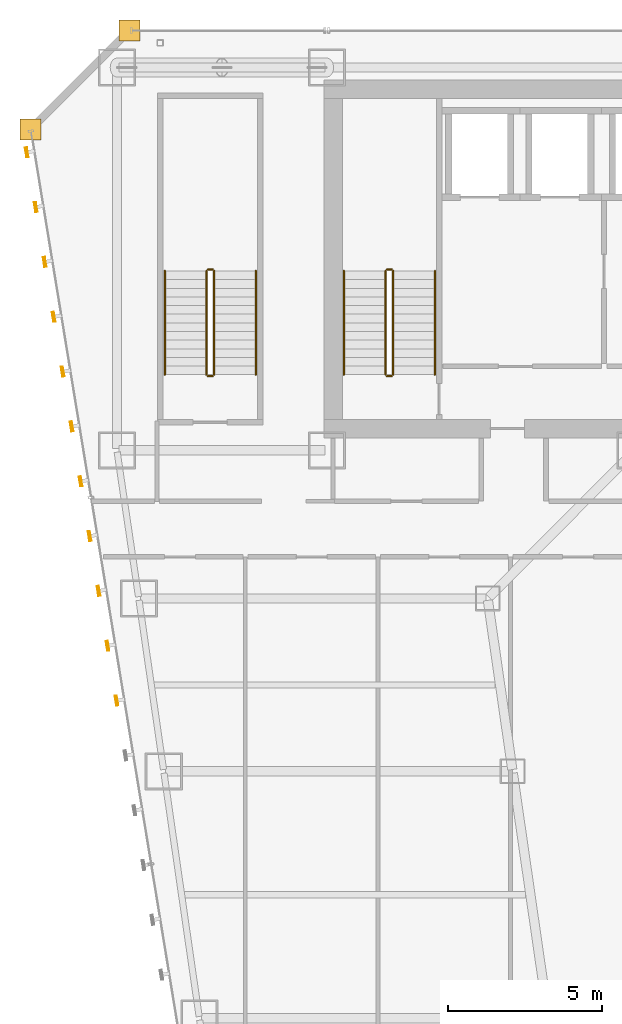
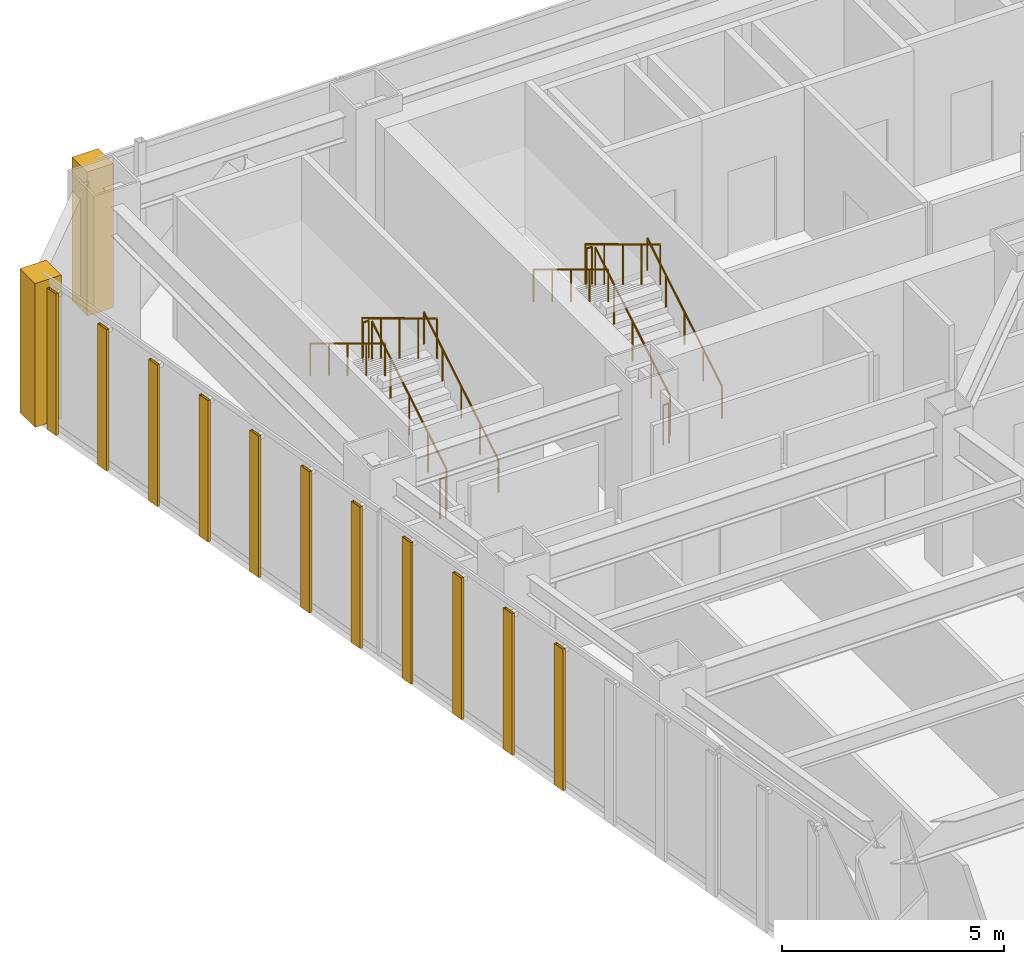
# One storey, part 46 of 47: 12 railings, 11 shading devices, 2 coverings.
"""IFC4 building model written with IfcOpenShell, lengths in metres."""

from ifc_helpers import new_model, si_unit, direction, frame, origin, origin_2d, place, context, subcontext, project, spatial, polyline, hollow_rectangle, circle, outline, extrude, material, layer, layer_set, material_profile, profile_set, type_object, element, save


model = new_model("IFC4")

# Units and contexts
model_context = context("Model", 3, precision=1e-05, world=origin(), true_north=direction((0.0, 1.0)))
body_context = subcontext(model_context, "Body", "Model", "MODEL_VIEW")
ifc_project = project(units=[si_unit("LENGTHUNIT", "METRE"), si_unit("AREAUNIT", "SQUARE_METRE"), si_unit("VOLUMEUNIT", "CUBIC_METRE"), si_unit("PLANEANGLEUNIT", "RADIAN"), si_unit("MASSUNIT", "GRAM", prefix="KILO")], contexts=[model_context])

# Site, building, storey
site_placement = place(None, origin())
site = spatial("IfcSite", under=ifc_project, at=site_placement, CompositionType="ELEMENT")
building_placement = place(site_placement, origin())
building = spatial("IfcBuilding", under=site, at=building_placement, Name="Saevonmaru Cultural Tower", CompositionType="ELEMENT")
storey_placement = place(building_placement, frame((0.0, 0.0, 82.39990234375)))
storey = spatial("IfcBuildingStorey", under=building, at=storey_placement, Name="L17", CompositionType="ELEMENT", Elevation=82.39990234375)

# Coverings
ifc_material_1 = material(Name="Satin Bronze Anodised Aluminium", Category="aluminium")
ifc_layer = layer(ifc_material_1, 0.679931640625, Name="Satin Bronze Anodised Aluminium")
ifc_layer_set = layer_set([ifc_layer], Name="Satin Bronze Anodised Aluminium")
covering_type = type_object("IfcCoveringType", Name="CV-CORNER-CLAD", PredefinedType="CLADDING", material=ifc_layer_set)
covering_1_placement = place(storey_placement, origin())
element("IfcCovering", 1, at=covering_1_placement, inside=storey, type_object=covering_type, Name="L17 Tower Bronze Corner Cladding Pier 11", PredefinedType="CLADDING", context=body_context, shape_type="SweptSolid", body=[
    extrude(outline(polyline([(6.860107421875, 55.659912109375), (7.5400390625, 55.659912109375), (7.5400390625, 56.340087890625), (6.860107421875, 56.340087890625), (6.860107421875, 55.659912109375)])), origin(), (0.0, 0.0, 1.0), 3.9501953125),
])
covering_2_placement = place(storey_placement, origin())
element("IfcCovering", 2, at=covering_2_placement, inside=storey, type_object=covering_type, Name="L17 Tower Bronze Corner Cladding Pier 12", PredefinedType="CLADDING", context=body_context, shape_type="SweptSolid", body=[
    extrude(outline(polyline([(3.659912109375, 52.4599609375), (4.340087890625, 52.4599609375), (4.340087890625, 53.139892578125), (3.659912109375, 53.139892578125), (3.659912109375, 52.4599609375)])), origin(), (0.0, 0.0, 1.0), 3.9501953125),
])

# Railings
ifc_material_2 = material(Name="Architectural Painted Steel", Category="steel")
railing_type_1 = type_object("IfcRailingType", Name="RL-STAIR-GUARD", PredefinedType="GUARDRAIL", material=ifc_material_2)
railing_1_placement = place(storey_placement, frame((15.75, 44.85009765625, 0.16943359375)))
element("IfcRailing", 3, at=railing_1_placement, inside=storey, type_object=railing_type_1, Name="L17 ST-1 stair guard 1", PredefinedType="GUARDRAIL", context=body_context, shape_type="SweptSolid", body=[
    extrude(circle(Radius=0.02392578125, at=origin_2d()), frame((0.0, 0.0, 1.09619140625), z_axis=(0.0, 0.855820338506, 0.51727318527), x_axis=(-1.0, 0.0, 0.0)), (0.0, 0.0, 1.0), 3.92578125),
    extrude(circle(Radius=0.02099609375, at=origin_2d()), origin(), (0.0, 0.0, 1.0), 1.072021484375),
    extrude(circle(Radius=0.02099609375, at=origin_2d()), frame((0.0, 0.83984375, 0.5078125)), (0.0, 0.0, 1.0), 1.072021484375),
    extrude(circle(Radius=0.02099609375, at=origin_2d()), frame((0.0, 1.679931640625, 1.015380859375)), (0.0, 0.0, 1.0), 1.072021484375),
    extrude(circle(Radius=0.02099609375, at=origin_2d()), frame((0.0, 2.52001953125, 1.52294921875)), (0.0, 0.0, 1.0), 1.072021484375),
    extrude(circle(Radius=0.02099609375, at=origin_2d()), frame((0.0, 3.35986328125, 2.03076171875)), (0.0, 0.0, 1.0), 1.072021484375),
])
railing_2_placement = place(storey_placement, frame((15.699951171875, 48.260009765625, 2.2001953125)))
element("IfcRailing", 4, at=railing_2_placement, inside=storey, type_object=railing_type_1, Name="L17 ST-1 stair guard 2", PredefinedType="GUARDRAIL", context=body_context, shape_type="SweptSolid", body=[
    extrude(circle(Radius=0.02392578125, at=origin_2d()), frame((0.0, 0.0, 1.09619140625), z_axis=(-1.0, 0.0, 0.0), x_axis=(0.0, -1.0, 0.0)), (0.0, 0.0, 1.0), 0.14990234375),
    extrude(circle(Radius=0.02099609375, at=origin_2d()), origin(), (0.0, 0.0, 1.0), 1.072021484375),
    extrude(circle(Radius=0.02099609375, at=origin_2d()), frame((-0.14990234375, 0.0, 0.0)), (0.0, 0.0, 1.0), 1.072021484375),
])
railing_3_placement = place(storey_placement, frame((15.5, 48.2099609375, 2.369384765625)))
element("IfcRailing", 5, at=railing_3_placement, inside=storey, type_object=railing_type_1, Name="L17 ST-1 stair guard 3", PredefinedType="GUARDRAIL", context=body_context, shape_type="SweptSolid", body=[
    extrude(circle(Radius=0.02392578125, at=origin_2d()), frame((0.0, 0.0, 1.09619140625), z_axis=(0.0, -0.855820338506, 0.51727318527), x_axis=(1.0, 0.0, 0.0)), (0.0, 0.0, 1.0), 3.92578125),
    extrude(circle(Radius=0.02099609375, at=origin_2d()), origin(), (0.0, 0.0, 1.0), 1.072021484375),
    extrude(circle(Radius=0.02099609375, at=origin_2d()), frame((0.0, -0.83984375, 0.5078125)), (0.0, 0.0, 1.0), 1.072021484375),
    extrude(circle(Radius=0.02099609375, at=origin_2d()), frame((0.0, -1.679931640625, 1.015380859375)), (0.0, 0.0, 1.0), 1.072021484375),
    extrude(circle(Radius=0.02099609375, at=origin_2d()), frame((0.0, -2.52001953125, 1.52294921875)), (0.0, 0.0, 1.0), 1.072021484375),
    extrude(circle(Radius=0.02099609375, at=origin_2d()), frame((0.0, -3.35986328125, 2.03076171875)), (0.0, 0.0, 1.0), 1.072021484375),
])
railing_4_placement = place(storey_placement, frame((15.699951171875, 44.800048828125, 0.0)))
element("IfcRailing", 6, at=railing_4_placement, inside=storey, type_object=railing_type_1, Name="L17 ST-1 stair guard 4", PredefinedType="GUARDRAIL", context=body_context, shape_type="SweptSolid", body=[
    extrude(circle(Radius=0.02392578125, at=origin_2d()), frame((0.0, 0.0, 1.09619140625), z_axis=(-1.0, 0.0, 0.0), x_axis=(0.0, -1.0, 0.0)), (0.0, 0.0, 1.0), 0.14990234375),
    extrude(circle(Radius=0.02099609375, at=origin_2d()), origin(), (0.0, 0.0, 1.0), 1.072021484375),
    extrude(circle(Radius=0.02099609375, at=origin_2d()), frame((-0.14990234375, 0.0, 0.0)), (0.0, 0.0, 1.0), 1.072021484375),
])
railing_5_placement = place(storey_placement, frame((9.949951171875, 44.85009765625, 0.16943359375)))
element("IfcRailing", 7, at=railing_5_placement, inside=storey, type_object=railing_type_1, Name="L17 ST-3 stair guard 1", PredefinedType="GUARDRAIL", context=body_context, shape_type="SweptSolid", body=[
    extrude(circle(Radius=0.02392578125, at=origin_2d()), frame((0.0, 0.0, 1.09619140625), z_axis=(0.0, 0.855820338506, 0.51727318527), x_axis=(-1.0, 0.0, 0.0)), (0.0, 0.0, 1.0), 3.92578125),
    extrude(circle(Radius=0.02099609375, at=origin_2d()), origin(), (0.0, 0.0, 1.0), 1.072021484375),
    extrude(circle(Radius=0.02099609375, at=origin_2d()), frame((0.0, 0.83984375, 0.5078125)), (0.0, 0.0, 1.0), 1.072021484375),
    extrude(circle(Radius=0.02099609375, at=origin_2d()), frame((0.0, 1.679931640625, 1.015380859375)), (0.0, 0.0, 1.0), 1.072021484375),
    extrude(circle(Radius=0.02099609375, at=origin_2d()), frame((0.0, 2.52001953125, 1.52294921875)), (0.0, 0.0, 1.0), 1.072021484375),
    extrude(circle(Radius=0.02099609375, at=origin_2d()), frame((0.0, 3.35986328125, 2.03076171875)), (0.0, 0.0, 1.0), 1.072021484375),
])
railing_6_placement = place(storey_placement, frame((9.89990234375, 48.260009765625, 2.2001953125)))
element("IfcRailing", 8, at=railing_6_placement, inside=storey, type_object=railing_type_1, Name="L17 ST-3 stair guard 2", PredefinedType="GUARDRAIL", context=body_context, shape_type="SweptSolid", body=[
    extrude(circle(Radius=0.02392578125, at=origin_2d()), frame((0.0, 0.0, 1.09619140625), z_axis=(-1.0, 0.0, 0.0), x_axis=(0.0, -1.0, 0.0)), (0.0, 0.0, 1.0), 0.14990234375),
    extrude(circle(Radius=0.02099609375, at=origin_2d()), origin(), (0.0, 0.0, 1.0), 1.072021484375),
    extrude(circle(Radius=0.02099609375, at=origin_2d()), frame((-0.14990234375, 0.0, 0.0)), (0.0, 0.0, 1.0), 1.072021484375),
])
railing_7_placement = place(storey_placement, frame((9.699951171875, 48.2099609375, 2.369384765625)))
element("IfcRailing", 9, at=railing_7_placement, inside=storey, type_object=railing_type_1, Name="L17 ST-3 stair guard 3", PredefinedType="GUARDRAIL", context=body_context, shape_type="SweptSolid", body=[
    extrude(circle(Radius=0.02392578125, at=origin_2d()), frame((0.0, 0.0, 1.09619140625), z_axis=(0.0, -0.855820338506, 0.51727318527), x_axis=(1.0, 0.0, 0.0)), (0.0, 0.0, 1.0), 3.92578125),
    extrude(circle(Radius=0.02099609375, at=origin_2d()), origin(), (0.0, 0.0, 1.0), 1.072021484375),
    extrude(circle(Radius=0.02099609375, at=origin_2d()), frame((0.0, -0.83984375, 0.5078125)), (0.0, 0.0, 1.0), 1.072021484375),
    extrude(circle(Radius=0.02099609375, at=origin_2d()), frame((0.0, -1.679931640625, 1.015380859375)), (0.0, 0.0, 1.0), 1.072021484375),
    extrude(circle(Radius=0.02099609375, at=origin_2d()), frame((0.0, -2.52001953125, 1.52294921875)), (0.0, 0.0, 1.0), 1.072021484375),
    extrude(circle(Radius=0.02099609375, at=origin_2d()), frame((0.0, -3.35986328125, 2.03076171875)), (0.0, 0.0, 1.0), 1.072021484375),
])
railing_8_placement = place(storey_placement, frame((9.89990234375, 44.800048828125, 0.0)))
element("IfcRailing", 10, at=railing_8_placement, inside=storey, type_object=railing_type_1, Name="L17 ST-3 stair guard 4", PredefinedType="GUARDRAIL", context=body_context, shape_type="SweptSolid", body=[
    extrude(circle(Radius=0.02392578125, at=origin_2d()), frame((0.0, 0.0, 1.09619140625), z_axis=(-1.0, 0.0, 0.0), x_axis=(0.0, -1.0, 0.0)), (0.0, 0.0, 1.0), 0.14990234375),
    extrude(circle(Radius=0.02099609375, at=origin_2d()), origin(), (0.0, 0.0, 1.0), 1.072021484375),
    extrude(circle(Radius=0.02099609375, at=origin_2d()), frame((-0.14990234375, 0.0, 0.0)), (0.0, 0.0, 1.0), 1.072021484375),
])
railing_type_2 = type_object("IfcRailingType", Name="RL-STAIR-HANDRAIL", PredefinedType="HANDRAIL", material=ifc_material_1)
railing_9_placement = place(storey_placement, frame((17.10009765625, 44.85009765625, 0.16943359375)))
element("IfcRailing", 11, at=railing_9_placement, inside=storey, type_object=railing_type_2, Name="L17 ST-1 stair handrail 1", PredefinedType="HANDRAIL", context=body_context, shape_type="SweptSolid", body=[
    extrude(circle(Radius=0.02392578125, at=origin_2d()), frame((0.0, 0.0, 0.8759765625), z_axis=(0.0, 0.855820338506, 0.51727318527), x_axis=(-1.0, 0.0, 0.0)), (0.0, 0.0, 1.0), 3.92578125),
    extrude(circle(Radius=0.02099609375, at=origin_2d()), origin(), (0.0, 0.0, 1.0), 0.851806640625),
    extrude(circle(Radius=0.02099609375, at=origin_2d()), frame((0.0, 0.83984375, 0.5078125)), (0.0, 0.0, 1.0), 0.851806640625),
    extrude(circle(Radius=0.02099609375, at=origin_2d()), frame((0.0, 1.679931640625, 1.015380859375)), (0.0, 0.0, 1.0), 0.851806640625),
    extrude(circle(Radius=0.02099609375, at=origin_2d()), frame((0.0, 2.52001953125, 1.52294921875)), (0.0, 0.0, 1.0), 0.851806640625),
    extrude(circle(Radius=0.02099609375, at=origin_2d()), frame((0.0, 3.35986328125, 2.03076171875)), (0.0, 0.0, 1.0), 0.851806640625),
])
railing_10_placement = place(storey_placement, frame((14.14990234375, 48.2099609375, 2.369384765625)))
element("IfcRailing", 12, at=railing_10_placement, inside=storey, type_object=railing_type_2, Name="L17 ST-1 stair handrail 2", PredefinedType="HANDRAIL", context=body_context, shape_type="SweptSolid", body=[
    extrude(circle(Radius=0.02392578125, at=origin_2d()), frame((0.0, 0.0, 0.8759765625), z_axis=(0.0, -0.855820338506, 0.51727318527), x_axis=(1.0, 0.0, 0.0)), (0.0, 0.0, 1.0), 3.92578125),
    extrude(circle(Radius=0.02099609375, at=origin_2d()), origin(), (0.0, 0.0, 1.0), 0.851806640625),
    extrude(circle(Radius=0.02099609375, at=origin_2d()), frame((0.0, -0.83984375, 0.5078125)), (0.0, 0.0, 1.0), 0.851806640625),
    extrude(circle(Radius=0.02099609375, at=origin_2d()), frame((0.0, -1.679931640625, 1.015380859375)), (0.0, 0.0, 1.0), 0.851806640625),
    extrude(circle(Radius=0.02099609375, at=origin_2d()), frame((0.0, -2.52001953125, 1.52294921875)), (0.0, 0.0, 1.0), 0.851806640625),
    extrude(circle(Radius=0.02099609375, at=origin_2d()), frame((0.0, -3.35986328125, 2.03076171875)), (0.0, 0.0, 1.0), 0.851806640625),
])
railing_11_placement = place(storey_placement, frame((11.300048828125, 44.85009765625, 0.16943359375)))
element("IfcRailing", 13, at=railing_11_placement, inside=storey, type_object=railing_type_2, Name="L17 ST-3 stair handrail 1", PredefinedType="HANDRAIL", context=body_context, shape_type="SweptSolid", body=[
    extrude(circle(Radius=0.02392578125, at=origin_2d()), frame((0.0, 0.0, 0.8759765625), z_axis=(0.0, 0.855820338506, 0.51727318527), x_axis=(-1.0, 0.0, 0.0)), (0.0, 0.0, 1.0), 3.92578125),
    extrude(circle(Radius=0.02099609375, at=origin_2d()), origin(), (0.0, 0.0, 1.0), 0.851806640625),
    extrude(circle(Radius=0.02099609375, at=origin_2d()), frame((0.0, 0.83984375, 0.5078125)), (0.0, 0.0, 1.0), 0.851806640625),
    extrude(circle(Radius=0.02099609375, at=origin_2d()), frame((0.0, 1.679931640625, 1.015380859375)), (0.0, 0.0, 1.0), 0.851806640625),
    extrude(circle(Radius=0.02099609375, at=origin_2d()), frame((0.0, 2.52001953125, 1.52294921875)), (0.0, 0.0, 1.0), 0.851806640625),
    extrude(circle(Radius=0.02099609375, at=origin_2d()), frame((0.0, 3.35986328125, 2.03076171875)), (0.0, 0.0, 1.0), 0.851806640625),
])
railing_12_placement = place(storey_placement, frame((8.35009765625, 48.2099609375, 2.369384765625)))
element("IfcRailing", 14, at=railing_12_placement, inside=storey, type_object=railing_type_2, Name="L17 ST-3 stair handrail 2", PredefinedType="HANDRAIL", context=body_context, shape_type="SweptSolid", body=[
    extrude(circle(Radius=0.02392578125, at=origin_2d()), frame((0.0, 0.0, 0.8759765625), z_axis=(0.0, -0.855820338506, 0.51727318527), x_axis=(1.0, 0.0, 0.0)), (0.0, 0.0, 1.0), 3.92578125),
    extrude(circle(Radius=0.02099609375, at=origin_2d()), origin(), (0.0, 0.0, 1.0), 0.851806640625),
    extrude(circle(Radius=0.02099609375, at=origin_2d()), frame((0.0, -0.83984375, 0.5078125)), (0.0, 0.0, 1.0), 0.851806640625),
    extrude(circle(Radius=0.02099609375, at=origin_2d()), frame((0.0, -1.679931640625, 1.015380859375)), (0.0, 0.0, 1.0), 0.851806640625),
    extrude(circle(Radius=0.02099609375, at=origin_2d()), frame((0.0, -2.52001953125, 1.52294921875)), (0.0, 0.0, 1.0), 0.851806640625),
    extrude(circle(Radius=0.02099609375, at=origin_2d()), frame((0.0, -3.35986328125, 2.03076171875)), (0.0, 0.0, 1.0), 0.851806640625),
])

# Shading devices
ifc_material_profile = material_profile(ifc_material_1, hollow_rectangle(XDim=0.070068359375, YDim=0.320068359375, WallThickness=0.0048828125, at=origin_2d()), Name="FIN-320x70")
ifc_profile_set = profile_set([ifc_material_profile], Name="Satin Bronze Anodised Aluminium")
shading_device_type = type_object("IfcShadingDeviceType", Name="SHD-FIN-320", PredefinedType="JALOUSIE", material=ifc_profile_set)
for number, where, z_axis, x_axis, name in (
    (15, (3.879150390625, 52.05322265625, 0.050048828125), (0.0, 0.0, 1.0), (-0.986827496189, -0.161776057456, 0.0), "L17 Art Deco Sawtooth Bronze Fin E12-01"),
    (16, (4.170166015625, 50.27685546875, 0.050048828125), (0.0, 0.0, 1.0), (-0.986827496189, -0.161776057456, 0.0), "L17 Art Deco Sawtooth Bronze Fin E12-02"),
    (17, (4.461181640625, 48.50048828125, 0.050048828125), (0.0, 0.0, 1.0), (-0.986827496189, -0.161776057456, 0.0), "L17 Art Deco Sawtooth Bronze Fin E12-03"),
    (18, (4.75244140625, 46.724365234375, 0.050048828125), (0.0, 0.0, 1.0), (-0.986827496189, -0.161776057456, 0.0), "L17 Art Deco Sawtooth Bronze Fin E12-04"),
    (19, (5.04345703125, 44.947998046875, 0.050048828125), (0.0, 0.0, 1.0), (-0.986827496189, -0.161776057456, 0.0), "L17 Art Deco Sawtooth Bronze Fin E12-05"),
    (20, (5.334716796875, 43.171630859375, 0.050048828125), (0.0, 0.0, 1.0), (-0.986827496189, -0.161776057456, 0.0), "L17 Art Deco Sawtooth Bronze Fin E12-06"),
    (21, (5.62548828125, 41.3955078125, 0.050048828125), (0.0, 0.0, 1.0), (-0.986827496189, -0.161776057456, 0.0), "L17 Art Deco Sawtooth Bronze Fin E12-07"),
    (22, (5.916748046875, 39.618896484375, 0.050048828125), (0.0, 0.0, 1.0), (-0.986827496189, -0.161776057456, 0.0), "L17 Art Deco Sawtooth Bronze Fin E12-08"),
    (23, (6.207763671875, 37.8427734375, 0.050048828125), (0.0, 0.0, 1.0), (-0.986827496189, -0.161776057456, 0.0), "L17 Art Deco Sawtooth Bronze Fin E12-09"),
    (24, (6.498779296875, 36.06640625, 0.050048828125), (0.0, 0.0, 1.0), (-0.986827496189, -0.161776057456, 0.0), "L17 Art Deco Sawtooth Bronze Fin E12-10"),
    (25, (6.789794921875, 34.2900390625, 0.050048828125), (0.0, 0.0, 1.0), (-0.986827496189, -0.161776057456, 0.0), "L17 Art Deco Sawtooth Bronze Fin E12-11"),
):
    element("IfcShadingDevice", number, at=place(storey_placement, frame(where, z_axis=z_axis, x_axis=x_axis)), inside=storey, type_object=shading_device_type, Name=name, PredefinedType="JALOUSIE", context=body_context, shape_type="SweptSolid", body=[
        extrude(hollow_rectangle(XDim=0.070068359375, YDim=0.320068359375, WallThickness=0.0048828125, at=origin_2d()), origin(), (0.0, 0.0, 1.0), 3.880126953125),
    ])

save(model, "model.ifc")
